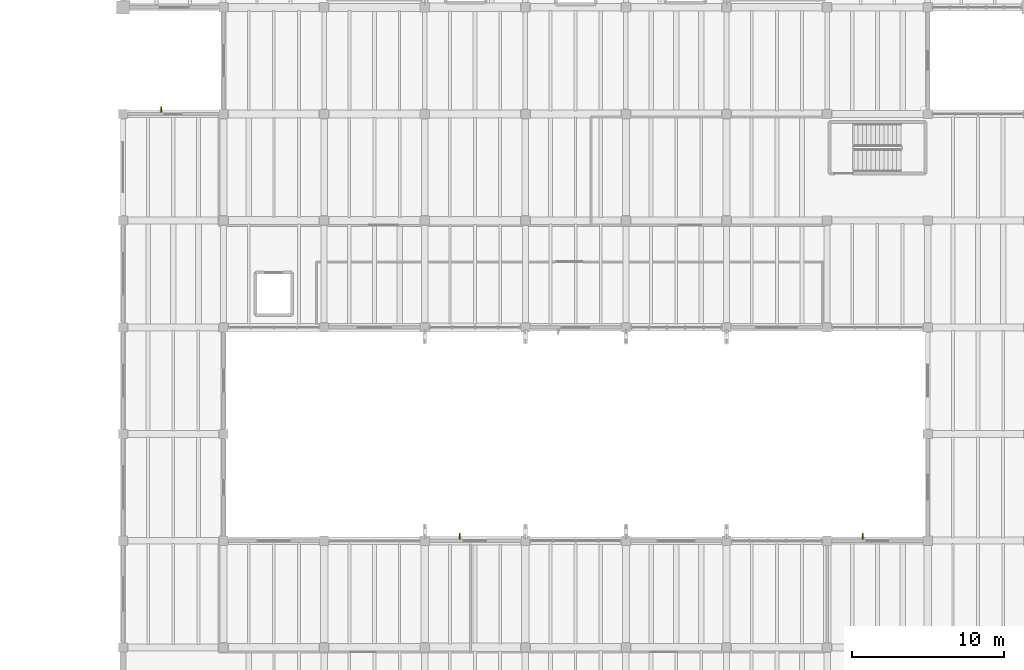
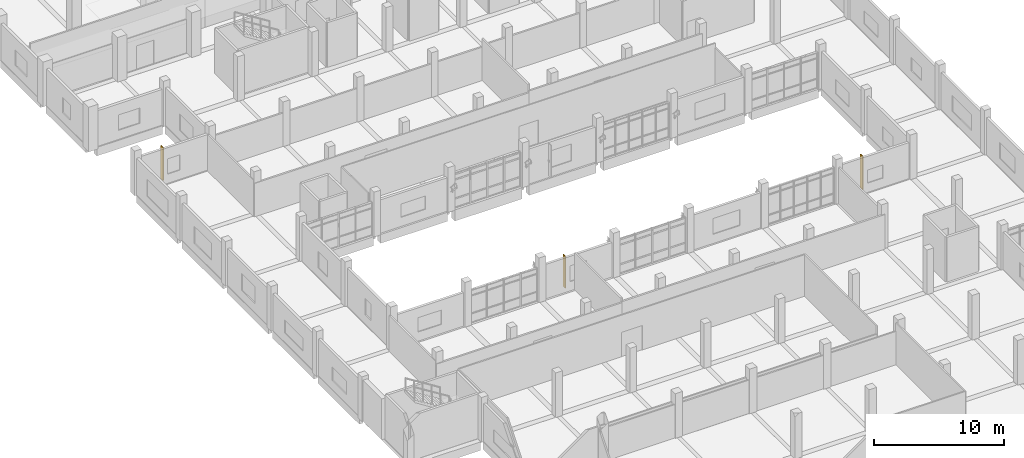
# One storey, part 63 of 68: 3 shading devices.
"""IFC4 building model written with IfcOpenShell, lengths in metres."""

import ifcopenshell
import ifcopenshell.guid

model = None  # the IFC model being written
_history = None  # IfcOwnerHistory: only IFC2X3 demands one
_inside = {}  # id of a spatial element -> (the spatial element, [elements in it])
_under = {}  # id of a project, library or spatial element -> (it, [spatial elements below it])
_declared = {}  # id of a project -> (the project, [libraries it declares])
_typed = {}  # id of a type object -> (the type object, [elements of that type])
_made_of = {}  # id of a material, layer set ... -> (it, [elements and type objects made of it])


def new_model(schema):
    """Start an empty IFC model of exactly this schema.

    Asked for "IFC4X3", IfcOpenShell would pick the latest addendum, in which some entities
    have other attributes; the version numbers below select the first issue.
    IFC2X3 requires an IfcOwnerHistory on every rooted entity: one is made here for all.
    """
    global model, _history
    if schema == "IFC4X3":
        model = ifcopenshell.file(schema_version=(4, 3, 0, 0))
    else:
        model = ifcopenshell.file(schema=schema)
    _inside.clear()
    _under.clear()
    _declared.clear()
    _typed.clear()
    _made_of.clear()
    _history = None
    if model.schema == "IFC2X3":
        org = make("IfcOrganization", Name="unknown")
        user = make(
            "IfcPersonAndOrganization",
            ThePerson=make("IfcPerson", FamilyName="unknown"),
            TheOrganization=org,
        )
        app = make(
            "IfcApplication",
            ApplicationDeveloper=org,
            Version="unknown",
            ApplicationFullName="unknown",
            ApplicationIdentifier="unknown",
        )
        _history = make(
            "IfcOwnerHistory",
            OwningUser=user,
            OwningApplication=app,
            ChangeAction="ADDED",
            CreationDate=0,
        )
    return model


def make(cls, **values):
    """One entity of the class cls with the attributes given. An attribute that is None is left unset."""
    return model.create_entity(
        cls, **{name: value for name, value in values.items() if value is not None}
    )


def rooted(cls, **values):
    """An entity with a GlobalId (a new one), such as an element, a storey or a relation."""
    return make(cls, GlobalId=ifcopenshell.guid.new(), OwnerHistory=_history, **values)


def si_unit(unit_type, name, prefix=None):
    """IfcSIUnit, for example si_unit("LENGTHUNIT", "METRE", prefix="MILLI")."""
    return make("IfcSIUnit", UnitType=unit_type, Prefix=prefix, Name=name)


def assignment(units):
    """IfcUnitAssignment: the units of a project."""
    return None if units is None else make("IfcUnitAssignment", Units=units)


def point(xyz):
    """IfcCartesianPoint."""
    return None if xyz is None else make("IfcCartesianPoint", Coordinates=xyz)


def direction(xyz):
    """IfcDirection."""
    return None if xyz is None else make("IfcDirection", DirectionRatios=xyz)


def frame(location, z_axis=None, x_axis=None):
    """IfcAxis2Placement3D, a coordinate frame: its origin and axes. An axis left out is left unset."""
    return make(
        "IfcAxis2Placement3D",
        Location=point(location),
        Axis=direction(z_axis),
        RefDirection=direction(x_axis),
    )


def frame_2d(location, x_axis=None):
    """IfcAxis2Placement2D, a coordinate frame in the plane: its origin and x axis."""
    return make(
        "IfcAxis2Placement2D", Location=point(location), RefDirection=direction(x_axis)
    )


def origin():
    """The frame at (0, 0, 0) with its axes left unset."""
    return frame((0.0, 0.0, 0.0))


def origin_2d():
    """The frame at (0, 0) in the plane with its x axis left unset."""
    return frame_2d((0.0, 0.0))


def place(relative_to, where):
    """IfcLocalPlacement: puts the frame where relative to a parent placement (None: the world)."""
    return make(
        "IfcLocalPlacement", PlacementRelTo=relative_to, RelativePlacement=where
    )


def context(
    kind, dimensions, precision=None, world=None, true_north=None, identifier=None
):
    """IfcGeometricRepresentationContext, for example the 3D "Model" context."""
    return make(
        "IfcGeometricRepresentationContext",
        ContextIdentifier=identifier,
        ContextType=kind,
        CoordinateSpaceDimension=dimensions,
        Precision=precision,
        WorldCoordinateSystem=world,
        TrueNorth=true_north,
    )


def subcontext(parent, identifier, kind, view, scale=None):
    """IfcGeometricRepresentationSubContext, for example "Body" below "Model"."""
    return make(
        "IfcGeometricRepresentationSubContext",
        ContextIdentifier=identifier,
        ContextType=kind,
        ParentContext=parent,
        TargetScale=scale,
        TargetView=view,
    )


def project(units=None, contexts=None):
    """IfcProject with its units and contexts."""
    return rooted(
        "IfcProject",
        Name="project",
        RepresentationContexts=contexts,
        UnitsInContext=assignment(units),
    )


def spatial(cls, under=None, at=None, **own):
    """A site, building, storey or space (cls), placed at a placement, below another one or the project."""
    s = rooted(cls, ObjectPlacement=at, **own)
    if under is not None:
        _under.setdefault(under.id(), (under, []))[1].append(s)
    return s


def profile(cls, at=None, kind="AREA", **sizes):
    """A parametric profile (cls). Its sizes go by their IFC names, for example OverallWidth=200.0."""
    return make(cls, ProfileType=kind, Position=at, **sizes)


def rectangle(**sizes):
    """IfcRectangleProfileDef."""
    return profile("IfcRectangleProfileDef", **sizes)


def extrude(swept, where, along, depth):
    """IfcExtrudedAreaSolid: the profile swept, set in the frame where, extruded along a direction by depth."""
    return make(
        "IfcExtrudedAreaSolid",
        SweptArea=swept,
        Position=where,
        ExtrudedDirection=direction(along),
        Depth=depth,
    )


def shape(context_of_items, identifier, shape_type, items):
    """IfcShapeRepresentation: the items that make up one representation, for example the "Body"."""
    return make(
        "IfcShapeRepresentation",
        ContextOfItems=context_of_items,
        RepresentationIdentifier=identifier,
        RepresentationType=shape_type,
        Items=items,
    )


def material(Name=None, Category=None):
    """IfcMaterial."""
    return make("IfcMaterial", Name=Name, Category=Category)


def material_profile(
    of_material, cross_section, Name=None, Category=None, Priority=None
):
    """IfcMaterialProfile: a cross section and its material."""
    return make(
        "IfcMaterialProfile",
        Name=Name,
        Material=of_material,
        Profile=cross_section,
        Priority=Priority,
        Category=Category,
    )


def profile_set(profiles, Name=None, composite=None):
    """IfcMaterialProfileSet."""
    return make(
        "IfcMaterialProfileSet",
        Name=Name,
        MaterialProfiles=profiles,
        CompositeProfile=composite,
    )


def made_of(thing, what):
    """Note that an element or type object is made of a material, layer set ...; save() writes the relation."""
    if what is not None:
        _made_of.setdefault(what.id(), (what, []))[1].append(thing)
    return thing


def type_object(cls, material=None, **own):
    """A type object (cls), such as IfcWallType, which elements share."""
    return made_of(rooted(cls, **own), material)


def element(
    cls,
    number,
    at=None,
    inside=None,
    cuts=None,
    type_object=None,
    material=None,
    context=None,
    identifier="Body",
    shape_type=None,
    held_by="IfcProductDefinitionShape",
    body=None,
    shapes=None,
    **own,
):
    """One element of the class cls, such as IfcWall. Its Tag is "e" and its number.

    at: its placement. inside: the storey or other place that contains it. cuts: it is an
    opening in that element (IfcRelVoidsElement). A single representation is given by context,
    identifier, shape_type and body (its items); several are given by shapes. held_by: the class
    of the entity that holds the representations. save() writes the other relations.
    """
    e = rooted(cls, Tag="e%d" % number, ObjectPlacement=at, **own)
    if body is not None:
        shapes = [shape(context, identifier, shape_type, body)]
    if shapes is not None:
        e.Representation = make(held_by, Representations=shapes)
    if inside is not None:
        _inside.setdefault(inside.id(), (inside, []))[1].append(e)
    if cuts is not None:
        rooted(
            "IfcRelVoidsElement", RelatingBuildingElement=cuts, RelatedOpeningElement=e
        )
    if type_object is not None:
        _typed.setdefault(type_object.id(), (type_object, []))[1].append(e)
    return made_of(e, material)


def aggregate(whole, parts):
    """IfcRelAggregates: a whole, such as a stair, and the parts it consists of."""
    return rooted("IfcRelAggregates", RelatingObject=whole, RelatedObjects=parts)


def save(model, path):
    """Write the relations noted so far, then the file.

    IfcRelAggregates (storeys below a building ...), IfcRelContainedInSpatialStructure (elements
    in a storey), IfcRelDefinesByType, IfcRelAssociatesMaterial and IfcRelDeclares: one each for
    every whole, place, type object, material and project.
    """
    for whole, parts in _under.values():
        aggregate(whole, parts)
    for where, things in _inside.values():
        rooted(
            "IfcRelContainedInSpatialStructure",
            RelatedElements=things,
            RelatingStructure=where,
        )
    for kind, things in _typed.values():
        rooted("IfcRelDefinesByType", RelatedObjects=things, RelatingType=kind)
    for what, things in _made_of.values():
        rooted("IfcRelAssociatesMaterial", RelatedObjects=things, RelatingMaterial=what)
    for by, libraries in _declared.values():
        rooted("IfcRelDeclares", RelatingContext=by, RelatedDefinitions=libraries)
    model.write(path)


model = new_model("IFC4")

# Units and contexts
model_context = context("Model", 3, precision=1e-05, world=origin(), true_north=direction((0.0, 1.0)))
body_context = subcontext(model_context, "Body", "Model", "MODEL_VIEW")
ifc_project = project(units=[si_unit("LENGTHUNIT", "METRE"), si_unit("AREAUNIT", "SQUARE_METRE"), si_unit("VOLUMEUNIT", "CUBIC_METRE"), si_unit("PLANEANGLEUNIT", "RADIAN"), si_unit("MASSUNIT", "GRAM", prefix="KILO")], contexts=[model_context])

# Site, building, storey
site_placement = place(None, origin())
site = spatial("IfcSite", under=ifc_project, at=site_placement, CompositionType="ELEMENT")
building_placement = place(site_placement, origin())
building = spatial("IfcBuilding", under=site, at=building_placement, Name="Ciguamira Faculty of Natural Sciences", CompositionType="ELEMENT")
storey_placement = place(building_placement, frame((0.0, 0.0, 4.199951171875)))
storey = spatial("IfcBuildingStorey", under=building, at=storey_placement, Name="L01", CompositionType="ELEMENT", Elevation=4.199951171875)

# Shading devices
ifc_material = material(Name="Anodized bronze sunshade fin")
ifc_material_profile = material_profile(ifc_material, rectangle(XDim=0.06494140625, YDim=0.3798828125, at=origin_2d()), Name="BRZ-FIN-65X380")
ifc_profile_set = profile_set([ifc_material_profile], Name="Anodized bronze sunshade fin")
shading_device_type = type_object("IfcShadingDeviceType", Name="SunFin_SF01", PredefinedType="USERDEFINED", material=ifc_profile_set)
shading_device_1_placement = place(storey_placement, frame((79.39990234375, 59.300048828125, 0.199951171875), z_axis=(0.0, 0.0, 1.0), x_axis=(1.0, 0.0, 0.0)))
element("IfcShadingDevice", 1, at=shading_device_1_placement, inside=storey, type_object=shading_device_type, Name="L01 bronze vertical sunshade fin 0014", ObjectType="SUNSHADE FIN", PredefinedType="USERDEFINED", context=body_context, shape_type="SweptSolid", body=[
    extrude(rectangle(XDim=0.06494140625, YDim=0.3798828125, at=origin_2d()), origin(), (0.0, 0.0, 1.0), 2.985107421875),
])
shading_device_2_placement = place(storey_placement, frame((105.85009765625, 59.300048828125, 0.199951171875), z_axis=(0.0, 0.0, 1.0), x_axis=(1.0, 0.0, 0.0)))
element("IfcShadingDevice", 2, at=shading_device_2_placement, inside=storey, type_object=shading_device_type, Name="L01 bronze vertical sunshade fin 0015", ObjectType="SUNSHADE FIN", PredefinedType="USERDEFINED", context=body_context, shape_type="SweptSolid", body=[
    extrude(rectangle(XDim=0.06494140625, YDim=0.3798828125, at=origin_2d()), origin(), (0.0, 0.0, 1.0), 3.135009765625),
])
shading_device_3_placement = place(storey_placement, frame((59.800048828125, 87.300048828125, 0.199951171875), z_axis=(0.0, 0.0, 1.0), x_axis=(1.0, 0.0, 0.0)))
element("IfcShadingDevice", 3, at=shading_device_3_placement, inside=storey, type_object=shading_device_type, Name="L01 bronze vertical sunshade fin 0017", ObjectType="SUNSHADE FIN", PredefinedType="USERDEFINED", context=body_context, shape_type="SweptSolid", body=[
    extrude(rectangle(XDim=0.06494140625, YDim=0.3798828125, at=origin_2d()), origin(), (0.0, 0.0, 1.0), 3.09521484375),
])

save(model, "model.ifc")
